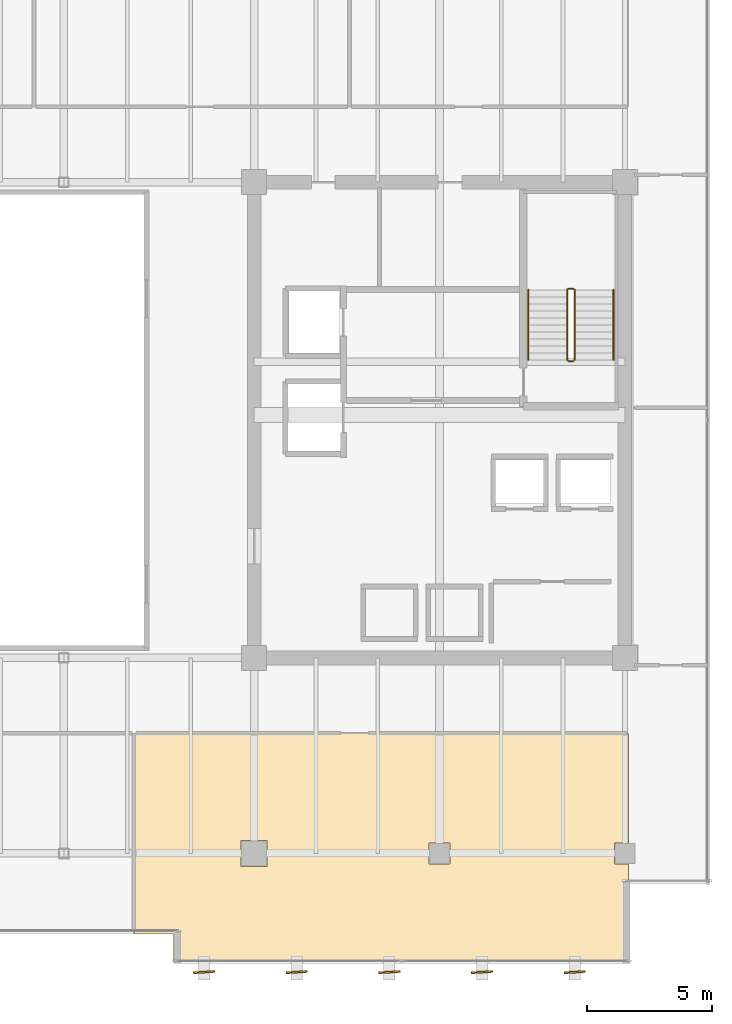
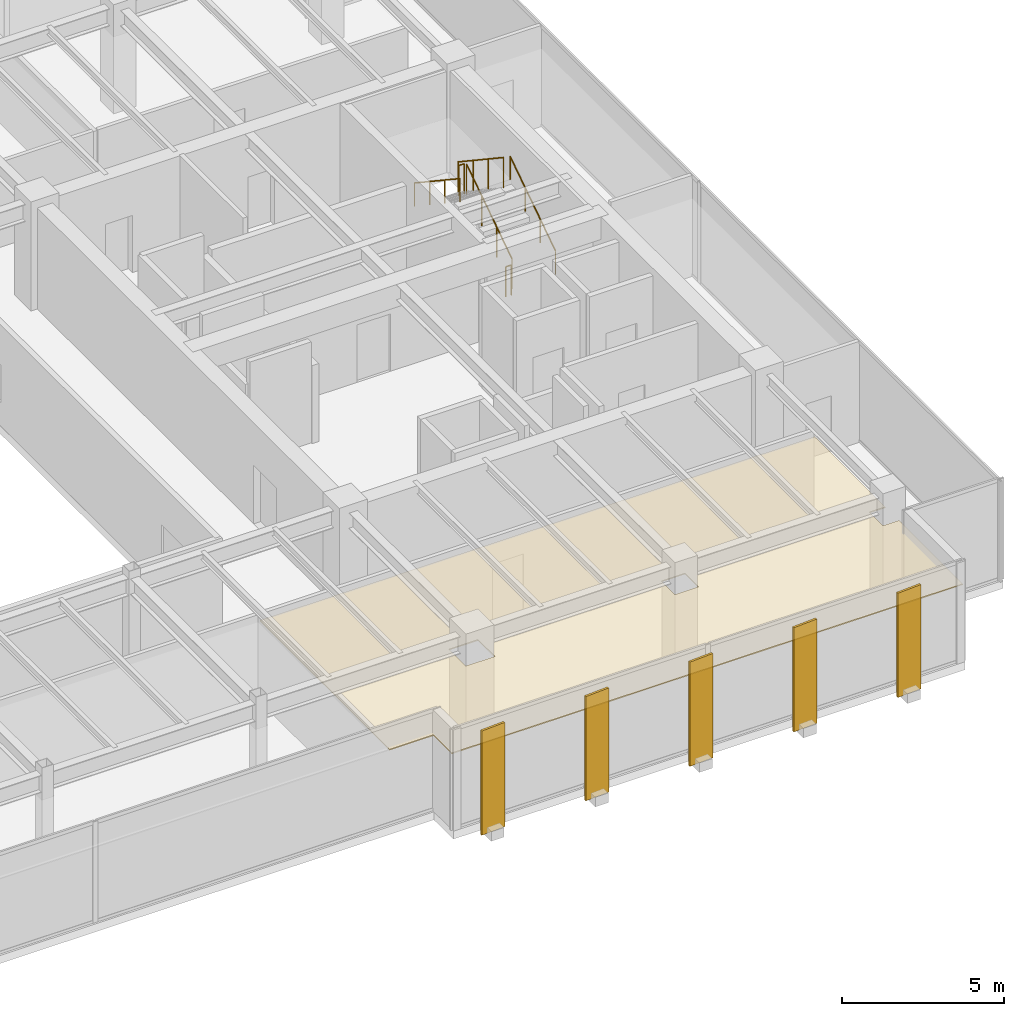
# One storey, part 34 of 35: 6 railings, 5 shading devices, 1 covering.
"""IFC4 building model written with IfcOpenShell, lengths in metres."""

from ifc_helpers import new_model, si_unit, direction, frame, origin, origin_2d, place, context, subcontext, project, spatial, polyline, rectangle, circle, outline, extrude, source, transform, mapped, material, layer, layer_set, material_profile, profile_set, type_object, type_shapes, element, save


model = new_model("IFC4")

# Units and contexts
model_context = context("Model", 3, precision=1e-05, world=origin(), true_north=direction((0.0, 1.0)))
body_context = subcontext(model_context, "Body", "Model", "MODEL_VIEW")
ifc_project = project(units=[si_unit("LENGTHUNIT", "METRE"), si_unit("AREAUNIT", "SQUARE_METRE"), si_unit("VOLUMEUNIT", "CUBIC_METRE"), si_unit("PLANEANGLEUNIT", "RADIAN"), si_unit("MASSUNIT", "GRAM", prefix="KILO")], contexts=[model_context])

# Site, building, storey
site_placement = place(None, origin())
site = spatial("IfcSite", under=ifc_project, at=site_placement, CompositionType="ELEMENT")
building_placement = place(site_placement, origin())
building = spatial("IfcBuilding", under=site, at=building_placement, Name="Haelvirn Gate Laboratories", CompositionType="ELEMENT")
storey_placement = place(building_placement, frame((0.0, 0.0, 201.39990234375)))
storey = spatial("IfcBuildingStorey", under=building, at=storey_placement, Name="L48", CompositionType="ELEMENT", Elevation=201.39990234375)

# Covering
ifc_material_1 = material(Name="Micro-perforated acoustic mineral-fibre laboratory ceiling")
ifc_layer = layer(ifc_material_1, 0.0400390625, Name="COV-CEIL-ACT")
ifc_layer_set = layer_set([ifc_layer], Name="Micro-perforated acoustic mineral-fibre laboratory ceiling")
covering_type = type_object("IfcCoveringType", Name="COV-CEIL-ACT", PredefinedType="CEILING", material=ifc_layer_set)
covering_placement = place(storey_placement, frame((0.0, 0.0, 2.880126953125)))
element("IfcCovering", 1, at=covering_placement, inside=storey, type_object=covering_type, Name="L48 Laboratory Acoustic Ceiling CEIL-SP-L48-S-03", PredefinedType="CEILING", context=body_context, shape_type="SweptSolid", body=[
    extrude(outline(polyline([(67.550048828125, 11.780029296875), (67.550048828125, 7.419921875), (66.97998046875, 7.419921875), (66.97998046875, 6.580078125), (67.550048828125, 6.580078125), (67.550048828125, 2.64990234375), (49.3798828125, 2.64990234375), (49.3798828125, 3.780029296875), (47.820068359375, 3.780029296875), (47.820068359375, 11.780029296875), (67.550048828125, 11.780029296875)]), holes=[polyline([(52.080078125, 6.47998046875), (53.1201171875, 6.47998046875), (53.1201171875, 7.52001953125), (52.080078125, 7.52001953125), (52.080078125, 6.47998046875)]), polyline([(59.580078125, 7.419921875), (59.580078125, 6.580078125), (60.419921875, 6.580078125), (60.419921875, 7.419921875), (59.580078125, 7.419921875)])]), origin(), (0.0, 0.0, 1.0), 0.0400390625),
])

# Shading devices
ifc_material_2 = material(Name="Extruded aluminium 6063-T6 (anodised bronze)", Category="aluminium")
ifc_material_profile = material_profile(ifc_material_2, rectangle(XDim=0.074951171875, YDim=0.85009765625, at=origin_2d()), Name="FIN-850x75")
ifc_profile_set = profile_set([ifc_material_profile], Name="Extruded aluminium 6063-T6 (anodised bronze)")
shading_device_type = type_object("IfcShadingDeviceType", Name="SHD-FIN-850", PredefinedType="USERDEFINED", material=ifc_profile_set)
shared_shape_1 = source(origin(), body_context, "Body", "SweptSolid", [
    extrude(rectangle(XDim=0.074951171875, YDim=0.85009765625, at=origin_2d()), origin(), (0.0, 0.0, 1.0), 3.919921875),
])
type_shapes(shading_device_type, [shared_shape_1])
for number, where, z_axis, x_axis, name in (
    (2, (50.60009765625, 2.2548828125, -0.179931640625), (0.0, 0.0, 1.0), (-0.062790519529, 0.998026728428, 0.0), "L48 Fluted Bronze Vertical Fin S06"),
    (3, (54.300048828125, 2.2548828125, -0.179931640625), (0.0, 0.0, 1.0), (-0.062790519529, 0.998026728428, 0.0), "L48 Fluted Bronze Vertical Fin S07"),
    (4, (58.0, 2.2548828125, -0.179931640625), (0.0, 0.0, 1.0), (-0.062790519529, 0.998026728428, 0.0), "L48 Fluted Bronze Vertical Fin S08"),
    (5, (61.699951171875, 2.2548828125, -0.179931640625), (0.0, 0.0, 1.0), (-0.062790519529, 0.998026728428, 0.0), "L48 Fluted Bronze Vertical Fin S09"),
    (6, (65.39990234375, 2.2548828125, -0.179931640625), (0.0, 0.0, 1.0), (-0.062790519529, 0.998026728428, 0.0), "L48 Fluted Bronze Vertical Fin S10"),
):
    element("IfcShadingDevice", number, at=place(storey_placement, frame(where, z_axis=z_axis, x_axis=x_axis)), inside=storey, type_object=shading_device_type, Name=name, ObjectType="FIN", PredefinedType="USERDEFINED", context=body_context, shape_type="MappedRepresentation", body=[
        mapped(shared_shape_1, transform((0.0, 0.0, 0.0), scale=1.0)),
    ])

# Railings
ifc_material_3 = material(Name="Galvanised steel SM355 & stainless top rail", Category="steel")
railing_type_1 = type_object("IfcRailingType", Name="RL-GUARD-1150", PredefinedType="GUARDRAIL", material=ifc_material_3)
shared_shape_2 = source(origin(), body_context, "Body", "SweptSolid", [
    extrude(circle(Radius=0.02392578125, at=origin_2d()), frame((0.0, 0.0, 1.1259765625), z_axis=(0.0, 0.832485552168, 0.554046753832), x_axis=(-1.0, 0.0, 0.0)), (0.0, 0.0, 1.0), 3.363525390625),
    extrude(circle(Radius=0.02099609375, at=origin_2d()), origin(), (0.0, 0.0, 1.0), 1.101806640625),
    extrude(circle(Radius=0.02099609375, at=origin_2d()), frame((0.0, 0.933349609375, 0.62109375)), (0.0, 0.0, 1.0), 1.101806640625),
    extrude(circle(Radius=0.02099609375, at=origin_2d()), frame((0.0, 1.86669921875, 1.242431640625)), (0.0, 0.0, 1.0), 1.101806640625),
    extrude(circle(Radius=0.02099609375, at=origin_2d()), frame((0.0, 2.800048828125, 1.863525390625)), (0.0, 0.0, 1.0), 1.101806640625),
])
railing_1_placement = place(storey_placement, frame((65.39990234375, 26.699951171875, 0.1865234375)))
element("IfcRailing", 7, at=railing_1_placement, inside=storey, type_object=railing_type_1, Name="L48 ST2 stair guard 1", PredefinedType="GUARDRAIL", context=body_context, shape_type="MappedRepresentation", body=[
    mapped(shared_shape_2, transform((0.0, 0.0, 0.0), scale=1.0)),
])
ifc_material_4 = material(Name="Brushed stainless steel 316L", Category="steel")
railing_type_2 = type_object("IfcRailingType", Name="RL-HAND-920", PredefinedType="HANDRAIL", material=ifc_material_4)
shared_shape_3 = source(origin(), body_context, "Body", "SweptSolid", [
    extrude(circle(Radius=0.02392578125, at=origin_2d()), frame((0.0, 0.0, 0.8759765625), z_axis=(0.0, 0.832485552168, 0.554046753832), x_axis=(-1.0, 0.0, 0.0)), (0.0, 0.0, 1.0), 3.363525390625),
    extrude(circle(Radius=0.02099609375, at=origin_2d()), origin(), (0.0, 0.0, 1.0), 0.851806640625),
    extrude(circle(Radius=0.02099609375, at=origin_2d()), frame((0.0, 0.933349609375, 0.62109375)), (0.0, 0.0, 1.0), 0.851806640625),
    extrude(circle(Radius=0.02099609375, at=origin_2d()), frame((0.0, 1.86669921875, 1.242431640625)), (0.0, 0.0, 1.0), 0.851806640625),
    extrude(circle(Radius=0.02099609375, at=origin_2d()), frame((0.0, 2.800048828125, 1.863525390625)), (0.0, 0.0, 1.0), 0.851806640625),
])
railing_2_placement = place(storey_placement, frame((66.949951171875, 26.699951171875, 0.1865234375)))
element("IfcRailing", 8, at=railing_2_placement, inside=storey, type_object=railing_type_2, Name="L48 ST2 stair handrail 1", PredefinedType="HANDRAIL", context=body_context, shape_type="MappedRepresentation", body=[
    mapped(shared_shape_3, transform((0.0, 0.0, 0.0), scale=1.0)),
])
shared_shape_4 = source(origin(), body_context, "Body", "SweptSolid", [
    extrude(circle(Radius=0.02392578125, at=origin_2d()), frame((0.0, 0.0, 1.1259765625), z_axis=(0.0, -0.832485552168, 0.554046753832), x_axis=(1.0, 0.0, 0.0)), (0.0, 0.0, 1.0), 3.363525390625),
    extrude(circle(Radius=0.02099609375, at=origin_2d()), origin(), (0.0, 0.0, 1.0), 1.101806640625),
    extrude(circle(Radius=0.02099609375, at=origin_2d()), frame((0.0, -0.933349609375, 0.62109375)), (0.0, 0.0, 1.0), 1.101806640625),
    extrude(circle(Radius=0.02099609375, at=origin_2d()), frame((0.0, -1.86669921875, 1.242431640625)), (0.0, 0.0, 1.0), 1.101806640625),
    extrude(circle(Radius=0.02099609375, at=origin_2d()), frame((0.0, -2.800048828125, 1.863525390625)), (0.0, 0.0, 1.0), 1.101806640625),
])
railing_3_placement = place(storey_placement, frame((65.10009765625, 29.5, 2.236572265625)))
element("IfcRailing", 9, at=railing_3_placement, inside=storey, type_object=railing_type_1, Name="L48 ST2 stair guard 3", PredefinedType="GUARDRAIL", context=body_context, shape_type="MappedRepresentation", body=[
    mapped(shared_shape_4, transform((0.0, 0.0, 0.0), scale=1.0)),
])
shared_shape_5 = source(origin(), body_context, "Body", "SweptSolid", [
    extrude(circle(Radius=0.02392578125, at=origin_2d()), frame((0.0, 0.0, 0.8759765625), z_axis=(0.0, -0.832485552168, 0.554046753832), x_axis=(1.0, 0.0, 0.0)), (0.0, 0.0, 1.0), 3.363525390625),
    extrude(circle(Radius=0.02099609375, at=origin_2d()), origin(), (0.0, 0.0, 1.0), 0.851806640625),
    extrude(circle(Radius=0.02099609375, at=origin_2d()), frame((0.0, -0.933349609375, 0.62109375)), (0.0, 0.0, 1.0), 0.851806640625),
    extrude(circle(Radius=0.02099609375, at=origin_2d()), frame((0.0, -1.86669921875, 1.242431640625)), (0.0, 0.0, 1.0), 0.851806640625),
    extrude(circle(Radius=0.02099609375, at=origin_2d()), frame((0.0, -2.800048828125, 1.863525390625)), (0.0, 0.0, 1.0), 0.851806640625),
])
type_shapes(railing_type_2, [shared_shape_3, shared_shape_5])
railing_4_placement = place(storey_placement, frame((63.550048828125, 29.5, 2.236572265625)))
element("IfcRailing", 10, at=railing_4_placement, inside=storey, type_object=railing_type_2, Name="L48 ST2 stair handrail 2", PredefinedType="HANDRAIL", context=body_context, shape_type="MappedRepresentation", body=[
    mapped(shared_shape_5, transform((0.0, 0.0, 0.0), scale=1.0)),
])
shared_shape_6 = source(origin(), body_context, "Body", "SweptSolid", [
    extrude(circle(Radius=0.02392578125, at=origin_2d()), frame((0.0, 0.0, 1.1259765625), z_axis=(-1.0, 0.0, 0.0), x_axis=(0.0, -1.0, 0.0)), (0.0, 0.0, 1.0), 0.2001953125),
    extrude(circle(Radius=0.02099609375, at=origin_2d()), origin(), (0.0, 0.0, 1.0), 1.101806640625),
    extrude(circle(Radius=0.02099609375, at=origin_2d()), frame((-0.2001953125, 0.0, 0.0)), (0.0, 0.0, 1.0), 1.101806640625),
])
type_shapes(railing_type_1, [shared_shape_2, shared_shape_4, shared_shape_6])
for number, where, name in (
    (11, (65.35009765625, 29.550048828125, 2.050048828125), "L48 ST2 stair guard 2"),
    (12, (65.35009765625, 26.64990234375, 0.0), "L48 ST2 stair guard 4"),
):
    element("IfcRailing", number, at=place(storey_placement, frame(where)), inside=storey, type_object=railing_type_1, Name=name, PredefinedType="GUARDRAIL", context=body_context, shape_type="MappedRepresentation", body=[
        mapped(shared_shape_6, transform((0.0, 0.0, 0.0), scale=1.0)),
    ])

save(model, "model.ifc")
